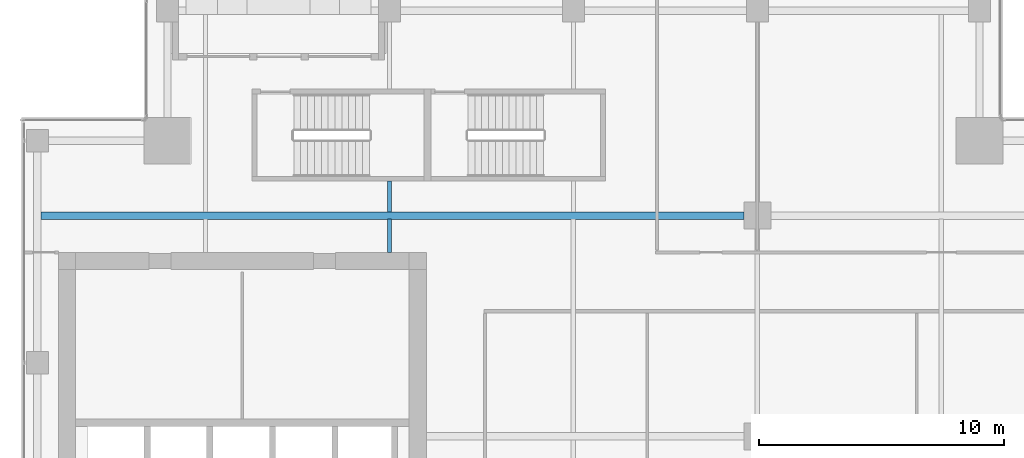
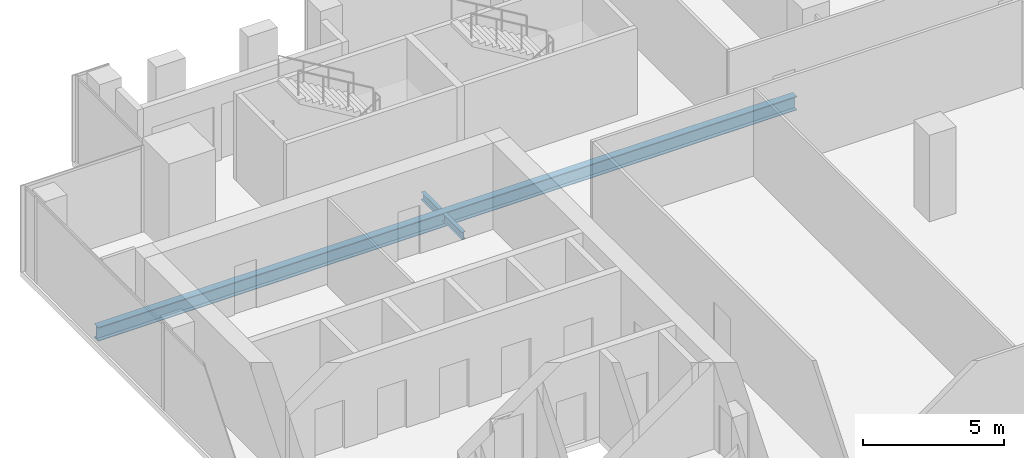
# One storey, part 17 of 36: 3 beams.
"""IFC4 building model written with IfcOpenShell, lengths in metres."""

from ifc_helpers import new_model, si_unit, direction, frame, origin, origin_2d, place, context, subcontext, project, spatial, i_section, extrude, source, transform, mapped, material, material_profile, profile_set, type_object, element, save


model = new_model("IFC4")

# Units and contexts
model_context = context("Model", 3, precision=1e-05, world=origin(), true_north=direction((0.0, 1.0)))
body_context = subcontext(model_context, "Body", "Model", "MODEL_VIEW")
ifc_project = project(units=[si_unit("LENGTHUNIT", "METRE"), si_unit("AREAUNIT", "SQUARE_METRE"), si_unit("VOLUMEUNIT", "CUBIC_METRE"), si_unit("PLANEANGLEUNIT", "RADIAN"), si_unit("MASSUNIT", "GRAM", prefix="KILO")], contexts=[model_context])

# Site, building, storey
site_placement = place(None, origin())
site = spatial("IfcSite", under=ifc_project, at=site_placement, CompositionType="ELEMENT")
building_placement = place(site_placement, origin())
building = spatial("IfcBuilding", under=site, at=building_placement, Name="Khomas Fold Tower", CompositionType="ELEMENT")
storey_placement = place(building_placement, frame((0.0, 0.0, 230.199951171875)))
storey = spatial("IfcBuildingStorey", under=building, at=storey_placement, Name="L51", CompositionType="ELEMENT", Elevation=230.199951171875)

# Beams
ifc_material_1 = material(Name="Steel S355", Category="steel")
ifc_material_profile_1 = material_profile(ifc_material_1, i_section(OverallWidth=0.159912109375, OverallDepth=0.330078125, WebThickness=0.007568359375, FlangeThickness=0.011474609375, at=origin_2d()), Name="IPE 330")
ifc_profile_set_1 = profile_set([ifc_material_profile_1], Name="Steel S355")
beam_type_1 = type_object("IfcBeamType", Name="IPE 330 beam JB1", PredefinedType="BEAM", material=ifc_profile_set_1)
shared_shape_1 = source(origin(), body_context, "Body", "SweptSolid", [
    extrude(i_section(OverallWidth=0.159912109375, OverallDepth=0.330078125, WebThickness=0.007568359375, FlangeThickness=0.011474609375, at=origin_2d()), origin(), (0.0, 0.0, 1.0), 1.25),
])
beam_1_placement = place(storey_placement, frame((19.5, 40.64990234375, -0.4150390625), z_axis=(0.0, 1.0, 0.0), x_axis=(-1.0, 0.0, 0.0)))
element("IfcBeam", 1, at=beam_1_placement, inside=storey, type_object=beam_type_1, Name="JB1", PredefinedType="BEAM", context=body_context, shape_type="MappedRepresentation", body=[
    mapped(shared_shape_1, transform((0.0, 0.0, 0.0))),
])
shared_shape_2 = source(origin(), body_context, "Body", "SweptSolid", [
    extrude(i_section(OverallWidth=0.159912109375, OverallDepth=0.330078125, WebThickness=0.007568359375, FlangeThickness=0.011474609375, at=origin_2d()), origin(), (0.0, 0.0, 1.0), 1.35009765625),
])
beam_2_placement = place(storey_placement, frame((19.5, 39.0, -0.4150390625), z_axis=(0.0, 1.0, 0.0), x_axis=(-1.0, 0.0, 0.0)))
element("IfcBeam", 2, at=beam_2_placement, inside=storey, type_object=beam_type_1, Name="JB1", PredefinedType="BEAM", context=body_context, shape_type="MappedRepresentation", body=[
    mapped(shared_shape_2, transform((0.0, 0.0, 0.0))),
])
ifc_material_2 = material(Name="Steel S355", Category="steel")
ifc_material_profile_2 = material_profile(ifc_material_2, i_section(OverallWidth=0.300048828125, OverallDepth=0.60009765625, WebThickness=0.015380859375, FlangeThickness=0.030029296875, at=origin_2d()), Name="HE 600 B")
ifc_profile_set_2 = profile_set([ifc_material_profile_2], Name="Steel S355")
beam_type_2 = type_object("IfcBeamType", Name="HE 600 B beam GB5", PredefinedType="BEAM", material=ifc_profile_set_2)
shared_shape_3 = source(origin(), body_context, "Body", "SweptSolid", [
    extrude(i_section(OverallWidth=0.300048828125, OverallDepth=0.60009765625, WebThickness=0.015380859375, FlangeThickness=0.030029296875, at=origin_2d()), origin(), (0.0, 0.0, 1.0), 28.64990234375),
])
beam_3_placement = place(storey_placement, frame((5.300048828125, 40.5, -0.550048828125), z_axis=(1.0, 0.0, 0.0), x_axis=(0.0, 1.0, 0.0)))
element("IfcBeam", 3, at=beam_3_placement, inside=storey, type_object=beam_type_2, Name="GB5", PredefinedType="BEAM", context=body_context, shape_type="MappedRepresentation", body=[
    mapped(shared_shape_3, transform((0.0, 0.0, 0.0))),
])

save(model, "model.ifc")
